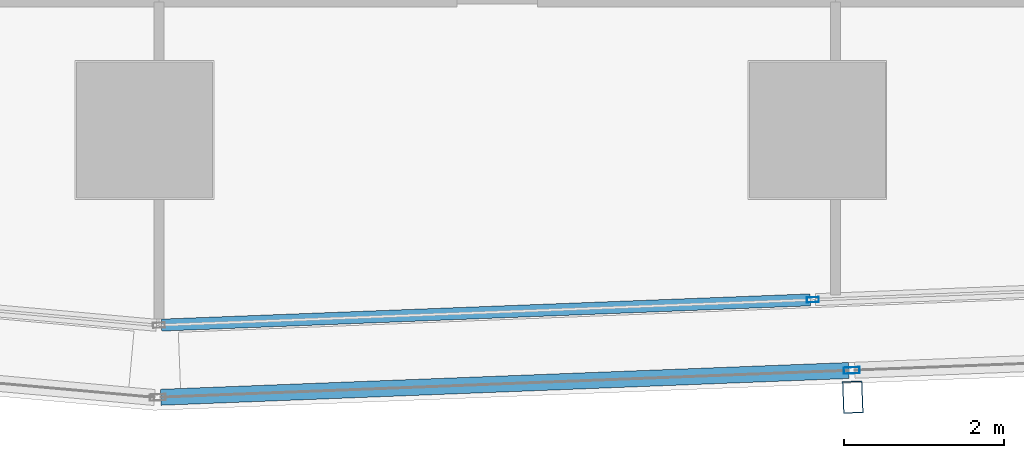
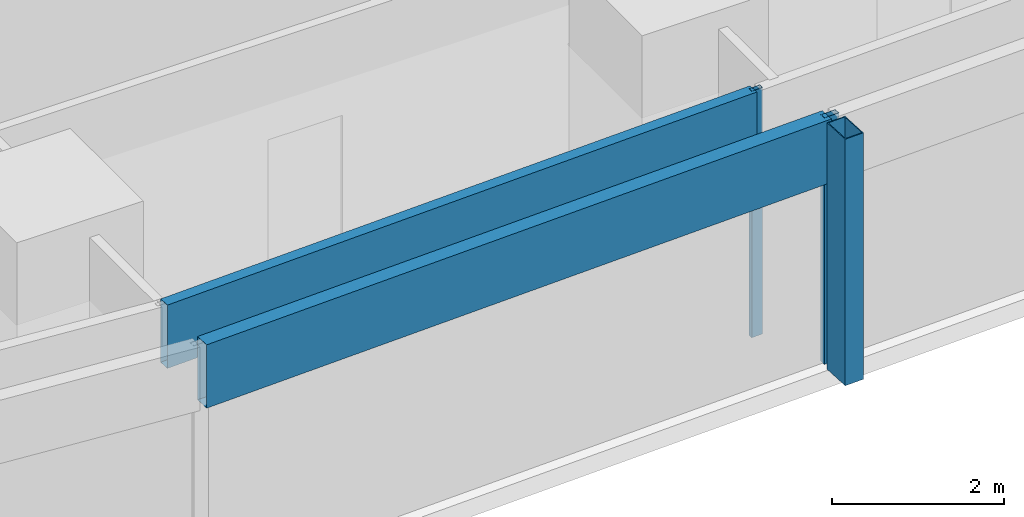
# One storey, part 6 of 40: 5 members, 2 elements without a shape of their own.
"""IFC4 building model written with IfcOpenShell, lengths in metres."""

from ifc_helpers import new_model, si_unit, direction, frame, origin, origin_2d, place, context, subcontext, project, spatial, hollow_rectangle, extrude, material, material_profile, profile_set, type_object, element, aggregate, save


model = new_model("IFC4")

# Units and contexts
model_context = context("Model", 3, precision=1e-05, world=origin(), true_north=direction((0.0, 1.0)))
body_context = subcontext(model_context, "Body", "Model", "MODEL_VIEW")
ifc_project = project(units=[si_unit("LENGTHUNIT", "METRE"), si_unit("AREAUNIT", "SQUARE_METRE"), si_unit("VOLUMEUNIT", "CUBIC_METRE"), si_unit("PLANEANGLEUNIT", "RADIAN"), si_unit("MASSUNIT", "GRAM", prefix="KILO")], contexts=[model_context])

# Site, building, storey
site_placement = place(None, origin())
site = spatial("IfcSite", under=ifc_project, at=site_placement, CompositionType="ELEMENT")
building_placement = place(site_placement, origin())
building = spatial("IfcBuilding", under=site, at=building_placement, Name="Rekha Terrace Tower", CompositionType="ELEMENT")
storey_placement = place(building_placement, frame((0.0, 0.0, 132.800048828125)))
storey = spatial("IfcBuildingStorey", under=building, at=storey_placement, Name="L33", CompositionType="ELEMENT", Elevation=132.800048828125)

# Curtain wall, member
ifc_material_1 = material(Name="Aluminium framing", Category="aluminium")
curtain_wall_type_1 = type_object("IfcCurtainWallType", Name="CW2 double skin outer glazing", PredefinedType="USERDEFINED", material=ifc_material_1)
curtain_wall_1_placement = place(storey_placement, origin())
curtain_wall_1 = element("IfcCurtainWall", 1, at=curtain_wall_1_placement, inside=storey, type_object=curtain_wall_type_1, Name="CW2 double skin outer glazing", ObjectType="DOUBLE SKIN OUTER GLAZING", PredefinedType="USERDEFINED")
ifc_material_2 = material(Name="Steel S355 with fluorocarbon finish", Category="steel")
ifc_material_profile_1 = material_profile(ifc_material_2, hollow_rectangle(XDim=0.25, YDim=0.39990234375, WallThickness=0.012451171875, at=origin_2d()), Name="RHS400x250x12.5")
ifc_profile_set_1 = profile_set([ifc_material_profile_1], Name="Steel S355 with fluorocarbon finish")
member_type_1 = type_object("IfcMemberType", Name="BL1 facade blade RHS 400 x 250", PredefinedType="USERDEFINED", material=ifc_profile_set_1)
member_1_placement = place(storey_placement, frame((34.042236328125, 13.46435546875, 0.0), z_axis=(0.0, 0.0, 1.0), x_axis=(0.999243494356, 0.038890088543, 0.0)))
member_1 = element("IfcMember", 2, at=member_1_placement, type_object=member_type_1, Name="Facade blade", ObjectType="FACADE BLADE", PredefinedType="USERDEFINED", context=body_context, shape_type="SweptSolid", body=[
    extrude(hollow_rectangle(XDim=0.25, YDim=0.39990234375, WallThickness=0.012451171875, at=origin_2d()), origin(), (0.0, 0.0, 1.0), 3.5),
])

# Curtain wall, members
curtain_wall_type_2 = type_object("IfcCurtainWallType", Name="CW1 double skin inner glazing", PredefinedType="USERDEFINED", material=ifc_material_1)
curtain_wall_2_placement = place(storey_placement, origin())
curtain_wall_2 = element("IfcCurtainWall", 3, at=curtain_wall_2_placement, inside=storey, type_object=curtain_wall_type_2, Name="CW1 double skin inner glazing", ObjectType="DOUBLE SKIN INNER GLAZING", PredefinedType="USERDEFINED")
ifc_material_3 = material(Name="Aluminium mullion section", Category="aluminium")
ifc_material_profile_2 = material_profile(ifc_material_3, hollow_rectangle(XDim=0.06494140625, YDim=0.14990234375, WallThickness=0.00390625, at=origin_2d()), Name="AL RHS 65x150")
ifc_profile_set_2 = profile_set([ifc_material_profile_2], Name="Aluminium mullion section")
member_type_2 = type_object("IfcMemberType", Name="CW1 mullion RHS 65 x 150", PredefinedType="MULLION", material=ifc_profile_set_2)
member_2_placement = place(storey_placement, frame((33.5439453125, 14.680908203125, 0.0), z_axis=(0.0, 0.0, 1.0), x_axis=(-0.038889971345, 0.999243498917, 0.0)))
member_2 = element("IfcMember", 4, at=member_2_placement, type_object=member_type_2, Name="CW1 mullion 2", PredefinedType="MULLION", context=body_context, shape_type="SweptSolid", body=[
    extrude(hollow_rectangle(XDim=0.06494140625, YDim=0.14990234375, WallThickness=0.00390625, at=origin_2d()), origin(), (0.0, 0.0, 1.0), 3.5),
])
ifc_material_4 = material(Name="Insulated aluminium spandrel box", Category="aluminium")
ifc_material_profile_3 = material_profile(ifc_material_4, hollow_rectangle(XDim=0.14990234375, YDim=0.89990234375, WallThickness=0.0029296875, at=origin_2d()), Name="AL SPANDREL BOX 150x900")
ifc_profile_set_3 = profile_set([ifc_material_profile_3], Name="Insulated aluminium spandrel box")
member_type_3 = type_object("IfcMemberType", Name="CW1 spandrel transom 150 x 900", PredefinedType="USERDEFINED", material=ifc_profile_set_3)
member_3_placement = place(storey_placement, frame((25.412353515625, 14.364501953125, 3.050048828125), z_axis=(0.999243630757, 0.038886583689, 0.0), x_axis=(-0.038886583689, 0.999243630757, 0.0)))
member_3 = element("IfcMember", 5, at=member_3_placement, type_object=member_type_3, Name="CW1 spandrel transom 1", ObjectType="TRANSOM", PredefinedType="USERDEFINED", context=body_context, shape_type="SweptSolid", body=[
    extrude(hollow_rectangle(XDim=0.14990234375, YDim=0.89990234375, WallThickness=0.0029296875, at=origin_2d()), origin(), (0.0, 0.0, 1.0), 8.105224609375),
])
aggregate(curtain_wall_2, [member_2, member_3])

# Member
ifc_material_profile_4 = material_profile(ifc_material_3, hollow_rectangle(XDim=0.080078125, YDim=0.199951171875, WallThickness=0.00390625, at=origin_2d()), Name="AL RHS 80x200")
ifc_profile_set_4 = profile_set([ifc_material_profile_4], Name="Aluminium mullion section")
member_type_4 = type_object("IfcMemberType", Name="CW2 mullion RHS 80 x 200", PredefinedType="MULLION", material=ifc_profile_set_4)
member_4_placement = place(storey_placement, frame((34.029052734375, 13.799072265625, 0.0), z_axis=(0.0, 0.0, 1.0), x_axis=(-0.038889971345, 0.999243498917, 0.0)))
member_4 = element("IfcMember", 6, at=member_4_placement, type_object=member_type_4, Name="CW2 mullion 2", PredefinedType="MULLION", context=body_context, shape_type="SweptSolid", body=[
    extrude(hollow_rectangle(XDim=0.080078125, YDim=0.199951171875, WallThickness=0.00390625, at=origin_2d()), origin(), (0.0, 0.0, 1.0), 3.5),
])

ifc_material_profile_5 = material_profile(ifc_material_4, hollow_rectangle(XDim=0.199951171875, YDim=0.89990234375, WallThickness=0.0029296875, at=origin_2d()), Name="AL SPANDREL BOX 200x900")
ifc_profile_set_5 = profile_set([ifc_material_profile_5], Name="Insulated aluminium spandrel box")
member_type_5 = type_object("IfcMemberType", Name="CW2 spandrel transom 200 x 900", PredefinedType="USERDEFINED", material=ifc_profile_set_5)
member_5_placement = place(storey_placement, frame((25.404052734375, 13.46337890625, 3.050048828125), z_axis=(0.999243058466, 0.038901286707, 0.0), x_axis=(-0.038901286707, 0.999243058466, 0.0)))
member_5 = element("IfcMember", 7, at=member_5_placement, type_object=member_type_5, Name="CW2 spandrel transom 1", ObjectType="TRANSOM", PredefinedType="USERDEFINED", context=body_context, shape_type="SweptSolid", body=[
    extrude(hollow_rectangle(XDim=0.199951171875, YDim=0.89990234375, WallThickness=0.0029296875, at=origin_2d()), origin(), (0.0, 0.0, 1.0), 8.591796875),
])

aggregate(curtain_wall_1, [member_4, member_5, member_1])

save(model, "model.ifc")
